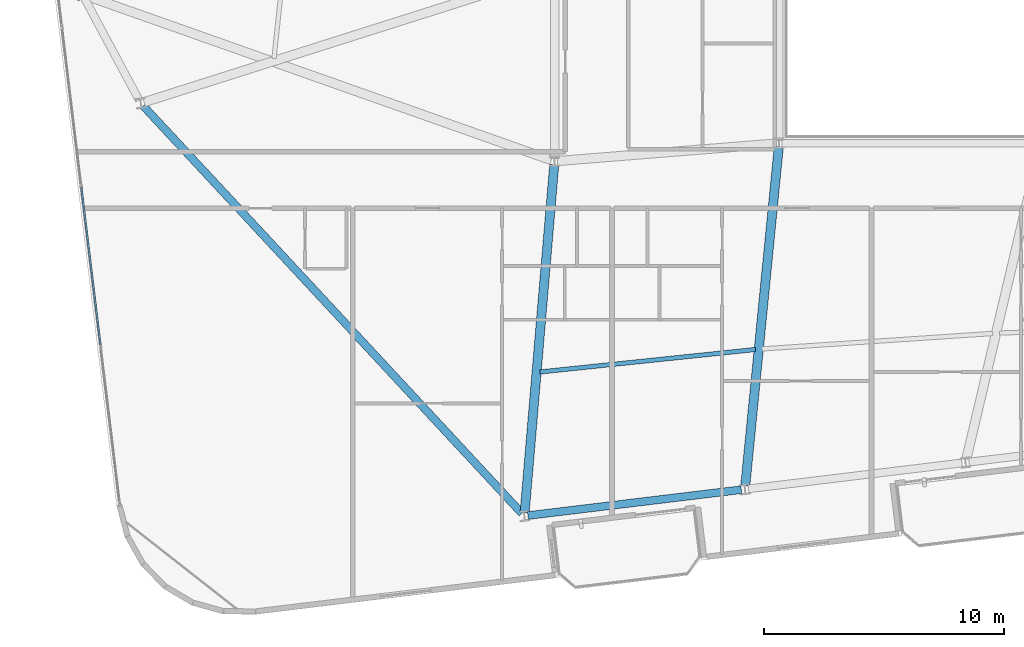
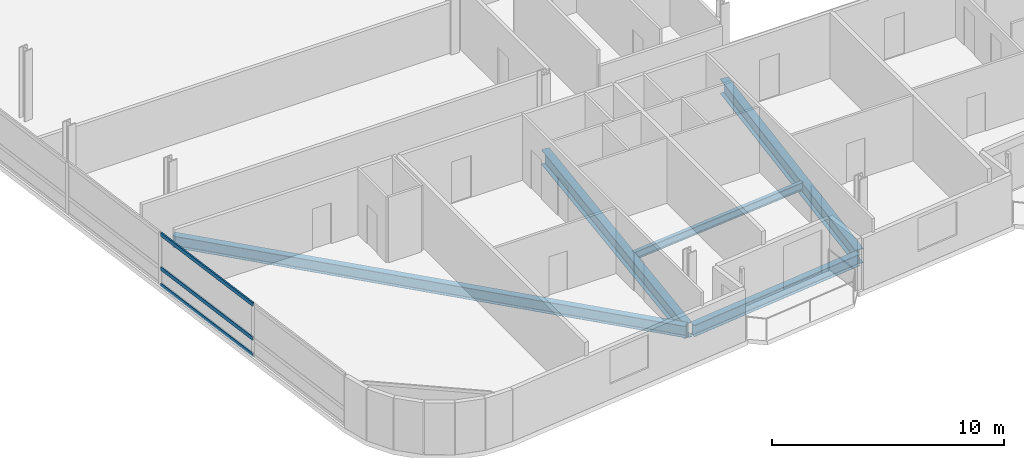
# One storey, part 3 of 24: 5 beams, 3 members, 1 element without a shape of its own.
"""IFC4 building model written with IfcOpenShell, lengths in metres."""

import ifcopenshell
import ifcopenshell.guid

model = None  # the IFC model being written
_history = None  # IfcOwnerHistory: only IFC2X3 demands one
_inside = {}  # id of a spatial element -> (the spatial element, [elements in it])
_under = {}  # id of a project, library or spatial element -> (it, [spatial elements below it])
_declared = {}  # id of a project -> (the project, [libraries it declares])
_typed = {}  # id of a type object -> (the type object, [elements of that type])
_made_of = {}  # id of a material, layer set ... -> (it, [elements and type objects made of it])


def new_model(schema):
    """Start an empty IFC model of exactly this schema.

    Asked for "IFC4X3", IfcOpenShell would pick the latest addendum, in which some entities
    have other attributes; the version numbers below select the first issue.
    IFC2X3 requires an IfcOwnerHistory on every rooted entity: one is made here for all.
    """
    global model, _history
    if schema == "IFC4X3":
        model = ifcopenshell.file(schema_version=(4, 3, 0, 0))
    else:
        model = ifcopenshell.file(schema=schema)
    _inside.clear()
    _under.clear()
    _declared.clear()
    _typed.clear()
    _made_of.clear()
    _history = None
    if model.schema == "IFC2X3":
        org = make("IfcOrganization", Name="unknown")
        user = make(
            "IfcPersonAndOrganization",
            ThePerson=make("IfcPerson", FamilyName="unknown"),
            TheOrganization=org,
        )
        app = make(
            "IfcApplication",
            ApplicationDeveloper=org,
            Version="unknown",
            ApplicationFullName="unknown",
            ApplicationIdentifier="unknown",
        )
        _history = make(
            "IfcOwnerHistory",
            OwningUser=user,
            OwningApplication=app,
            ChangeAction="ADDED",
            CreationDate=0,
        )
    return model


def make(cls, **values):
    """One entity of the class cls with the attributes given. An attribute that is None is left unset."""
    return model.create_entity(
        cls, **{name: value for name, value in values.items() if value is not None}
    )


def rooted(cls, **values):
    """An entity with a GlobalId (a new one), such as an element, a storey or a relation."""
    return make(cls, GlobalId=ifcopenshell.guid.new(), OwnerHistory=_history, **values)


def si_unit(unit_type, name, prefix=None):
    """IfcSIUnit, for example si_unit("LENGTHUNIT", "METRE", prefix="MILLI")."""
    return make("IfcSIUnit", UnitType=unit_type, Prefix=prefix, Name=name)


def assignment(units):
    """IfcUnitAssignment: the units of a project."""
    return None if units is None else make("IfcUnitAssignment", Units=units)


def point(xyz):
    """IfcCartesianPoint."""
    return None if xyz is None else make("IfcCartesianPoint", Coordinates=xyz)


def direction(xyz):
    """IfcDirection."""
    return None if xyz is None else make("IfcDirection", DirectionRatios=xyz)


def frame(location, z_axis=None, x_axis=None):
    """IfcAxis2Placement3D, a coordinate frame: its origin and axes. An axis left out is left unset."""
    return make(
        "IfcAxis2Placement3D",
        Location=point(location),
        Axis=direction(z_axis),
        RefDirection=direction(x_axis),
    )


def frame_2d(location, x_axis=None):
    """IfcAxis2Placement2D, a coordinate frame in the plane: its origin and x axis."""
    return make(
        "IfcAxis2Placement2D", Location=point(location), RefDirection=direction(x_axis)
    )


def origin():
    """The frame at (0, 0, 0) with its axes left unset."""
    return frame((0.0, 0.0, 0.0))


def origin_2d():
    """The frame at (0, 0) in the plane with its x axis left unset."""
    return frame_2d((0.0, 0.0))


def place(relative_to, where):
    """IfcLocalPlacement: puts the frame where relative to a parent placement (None: the world)."""
    return make(
        "IfcLocalPlacement", PlacementRelTo=relative_to, RelativePlacement=where
    )


def context(
    kind, dimensions, precision=None, world=None, true_north=None, identifier=None
):
    """IfcGeometricRepresentationContext, for example the 3D "Model" context."""
    return make(
        "IfcGeometricRepresentationContext",
        ContextIdentifier=identifier,
        ContextType=kind,
        CoordinateSpaceDimension=dimensions,
        Precision=precision,
        WorldCoordinateSystem=world,
        TrueNorth=true_north,
    )


def subcontext(parent, identifier, kind, view, scale=None):
    """IfcGeometricRepresentationSubContext, for example "Body" below "Model"."""
    return make(
        "IfcGeometricRepresentationSubContext",
        ContextIdentifier=identifier,
        ContextType=kind,
        ParentContext=parent,
        TargetScale=scale,
        TargetView=view,
    )


def project(units=None, contexts=None):
    """IfcProject with its units and contexts."""
    return rooted(
        "IfcProject",
        Name="project",
        RepresentationContexts=contexts,
        UnitsInContext=assignment(units),
    )


def spatial(cls, under=None, at=None, **own):
    """A site, building, storey or space (cls), placed at a placement, below another one or the project."""
    s = rooted(cls, ObjectPlacement=at, **own)
    if under is not None:
        _under.setdefault(under.id(), (under, []))[1].append(s)
    return s


def profile(cls, at=None, kind="AREA", **sizes):
    """A parametric profile (cls). Its sizes go by their IFC names, for example OverallWidth=200.0."""
    return make(cls, ProfileType=kind, Position=at, **sizes)


def hollow_rectangle(**sizes):
    """IfcRectangleHollowProfileDef."""
    return profile("IfcRectangleHollowProfileDef", **sizes)


def i_section(**sizes):
    """IfcIShapeProfileDef."""
    return profile("IfcIShapeProfileDef", **sizes)


def extrude(swept, where, along, depth):
    """IfcExtrudedAreaSolid: the profile swept, set in the frame where, extruded along a direction by depth."""
    return make(
        "IfcExtrudedAreaSolid",
        SweptArea=swept,
        Position=where,
        ExtrudedDirection=direction(along),
        Depth=depth,
    )


def shape(context_of_items, identifier, shape_type, items):
    """IfcShapeRepresentation: the items that make up one representation, for example the "Body"."""
    return make(
        "IfcShapeRepresentation",
        ContextOfItems=context_of_items,
        RepresentationIdentifier=identifier,
        RepresentationType=shape_type,
        Items=items,
    )


def material(Name=None, Category=None):
    """IfcMaterial."""
    return make("IfcMaterial", Name=Name, Category=Category)


def layer(
    of_material, thickness, ventilated=None, Name=None, Category=None, Priority=None
):
    """IfcMaterialLayer: one layer of a wall or slab, of a material (None: an air gap)."""
    return make(
        "IfcMaterialLayer",
        Material=of_material,
        LayerThickness=thickness,
        IsVentilated=ventilated,
        Name=Name,
        Category=Category,
        Priority=Priority,
    )


def layer_set(layers, Name=None):
    """IfcMaterialLayerSet."""
    return make("IfcMaterialLayerSet", MaterialLayers=layers, LayerSetName=Name)


def material_profile(
    of_material, cross_section, Name=None, Category=None, Priority=None
):
    """IfcMaterialProfile: a cross section and its material."""
    return make(
        "IfcMaterialProfile",
        Name=Name,
        Material=of_material,
        Profile=cross_section,
        Priority=Priority,
        Category=Category,
    )


def profile_set(profiles, Name=None, composite=None):
    """IfcMaterialProfileSet."""
    return make(
        "IfcMaterialProfileSet",
        Name=Name,
        MaterialProfiles=profiles,
        CompositeProfile=composite,
    )


def made_of(thing, what):
    """Note that an element or type object is made of a material, layer set ...; save() writes the relation."""
    if what is not None:
        _made_of.setdefault(what.id(), (what, []))[1].append(thing)
    return thing


def type_object(cls, material=None, **own):
    """A type object (cls), such as IfcWallType, which elements share."""
    return made_of(rooted(cls, **own), material)


def element(
    cls,
    number,
    at=None,
    inside=None,
    cuts=None,
    type_object=None,
    material=None,
    context=None,
    identifier="Body",
    shape_type=None,
    held_by="IfcProductDefinitionShape",
    body=None,
    shapes=None,
    **own,
):
    """One element of the class cls, such as IfcWall. Its Tag is "e" and its number.

    at: its placement. inside: the storey or other place that contains it. cuts: it is an
    opening in that element (IfcRelVoidsElement). A single representation is given by context,
    identifier, shape_type and body (its items); several are given by shapes. held_by: the class
    of the entity that holds the representations. save() writes the other relations.
    """
    e = rooted(cls, Tag="e%d" % number, ObjectPlacement=at, **own)
    if body is not None:
        shapes = [shape(context, identifier, shape_type, body)]
    if shapes is not None:
        e.Representation = make(held_by, Representations=shapes)
    if inside is not None:
        _inside.setdefault(inside.id(), (inside, []))[1].append(e)
    if cuts is not None:
        rooted(
            "IfcRelVoidsElement", RelatingBuildingElement=cuts, RelatedOpeningElement=e
        )
    if type_object is not None:
        _typed.setdefault(type_object.id(), (type_object, []))[1].append(e)
    return made_of(e, material)


def aggregate(whole, parts):
    """IfcRelAggregates: a whole, such as a stair, and the parts it consists of."""
    return rooted("IfcRelAggregates", RelatingObject=whole, RelatedObjects=parts)


def save(model, path):
    """Write the relations noted so far, then the file.

    IfcRelAggregates (storeys below a building ...), IfcRelContainedInSpatialStructure (elements
    in a storey), IfcRelDefinesByType, IfcRelAssociatesMaterial and IfcRelDeclares: one each for
    every whole, place, type object, material and project.
    """
    for whole, parts in _under.values():
        aggregate(whole, parts)
    for where, things in _inside.values():
        rooted(
            "IfcRelContainedInSpatialStructure",
            RelatedElements=things,
            RelatingStructure=where,
        )
    for kind, things in _typed.values():
        rooted("IfcRelDefinesByType", RelatedObjects=things, RelatingType=kind)
    for what, things in _made_of.values():
        rooted("IfcRelAssociatesMaterial", RelatedObjects=things, RelatingMaterial=what)
    for by, libraries in _declared.values():
        rooted("IfcRelDeclares", RelatingContext=by, RelatedDefinitions=libraries)
    model.write(path)


model = new_model("IFC4")

# Units and contexts
model_context = context("Model", 3, precision=1e-05, world=origin(), true_north=direction((0.0, 1.0)))
body_context = subcontext(model_context, "Body", "Model", "MODEL_VIEW")
ifc_project = project(units=[si_unit("LENGTHUNIT", "METRE"), si_unit("AREAUNIT", "SQUARE_METRE"), si_unit("VOLUMEUNIT", "CUBIC_METRE"), si_unit("PLANEANGLEUNIT", "RADIAN"), si_unit("MASSUNIT", "GRAM", prefix="KILO")], contexts=[model_context])

# Site, building, storey
site_placement = place(None, origin())
site = spatial("IfcSite", under=ifc_project, at=site_placement, CompositionType="ELEMENT")
building_placement = place(site_placement, origin())
building = spatial("IfcBuilding", under=site, at=building_placement, Name="Varnelok Gate Tower", CompositionType="ELEMENT")
storey_placement = place(building_placement, frame((0.0, 0.0, 167.199951171875)))
storey = spatial("IfcBuildingStorey", under=building, at=storey_placement, Name="L42", CompositionType="ELEMENT", Elevation=167.199951171875)

# Beams
ifc_material_1 = material(Name="Structural Steel ASTM A992 Grade 50", Category="steel")
ifc_material_profile_1 = material_profile(ifc_material_1, i_section(OverallWidth=0.180908203125, OverallDepth=0.4169921875, WebThickness=0.010986328125, FlangeThickness=0.018310546875, FilletRadius=0.013916015625, at=origin_2d()), Name="W16X57")
ifc_profile_set_1 = profile_set([ifc_material_profile_1], Name="Structural Steel ASTM A992 Grade 50")
beam_type_1 = type_object("IfcBeamType", Name="BM-JST-W16X57", PredefinedType="JOIST", material=ifc_profile_set_1)
beam_1_placement = place(storey_placement, frame((23.791015625, 10.0283203125, -0.45849609375), z_axis=(0.994593629184, 0.103843694018, 0.0), x_axis=(-0.103843694018, 0.994593629184, 0.0)))
element("IfcBeam", 1, at=beam_1_placement, inside=storey, type_object=beam_type_1, Name="L42 Sector Floor Joist 1", PredefinedType="JOIST", context=body_context, shape_type="SweptSolid", body=[
    extrude(i_section(OverallWidth=0.180908203125, OverallDepth=0.4169921875, WebThickness=0.010986328125, FlangeThickness=0.018310546875, FilletRadius=0.013916015625, at=origin_2d()), origin(), (0.0, 0.0, 1.0), 9.02099609375),
])
ifc_material_profile_2 = material_profile(ifc_material_1, i_section(OverallWidth=0.381103515625, OverallDepth=0.77294921875, WebThickness=0.0166015625, FlangeThickness=0.027099609375, FilletRadius=0.02197265625, at=origin_2d()), Name="W30X173")
ifc_profile_set_2 = profile_set([ifc_material_profile_2], Name="Structural Steel ASTM A992 Grade 50")
beam_type_2 = type_object("IfcBeamType", Name="BM-PRI-W30X173", PredefinedType="BEAM", material=ifc_profile_set_2)
beam_2_placement = place(storey_placement, frame((24.38720703125, 18.650390625, -0.636474609375), z_axis=(-0.08482646823, -0.996395739798, 0.0), x_axis=(0.996395739798, -0.08482646823, 0.0)))
element("IfcBeam", 2, at=beam_2_placement, inside=storey, type_object=beam_type_2, Name="L42 Radial Floor Girder 1", PredefinedType="BEAM", context=body_context, shape_type="SweptSolid", body=[
    extrude(i_section(OverallWidth=0.381103515625, OverallDepth=0.77294921875, WebThickness=0.0166015625, FlangeThickness=0.027099609375, FilletRadius=0.02197265625, at=origin_2d()), origin(), (0.0, 0.0, 1.0), 14.52001953125),
])
beam_3_placement = place(storey_placement, frame((33.735107421875, 19.400634765625, -0.636474609375), z_axis=(-0.098420734253, -0.995144893505, 0.0), x_axis=(0.995144893505, -0.098420734253, 0.0)))
element("IfcBeam", 3, at=beam_3_placement, inside=storey, type_object=beam_type_2, Name="L42 Radial Floor Girder 2", PredefinedType="BEAM", context=body_context, shape_type="SweptSolid", body=[
    extrude(i_section(OverallWidth=0.381103515625, OverallDepth=0.77294921875, WebThickness=0.0166015625, FlangeThickness=0.027099609375, FilletRadius=0.02197265625, at=origin_2d()), origin(), (0.0, 0.0, 1.0), 14.174072265625),
])
ifc_material_profile_3 = material_profile(ifc_material_1, i_section(OverallWidth=0.323974609375, OverallDepth=0.611083984375, WebThickness=0.0126953125, FlangeThickness=0.01904296875, FilletRadius=0.01806640625, at=origin_2d()), Name="W24X104")
ifc_profile_set_3 = profile_set([ifc_material_profile_3], Name="Structural Steel ASTM A992 Grade 50")
beam_type_3 = type_object("IfcBeamType", Name="BM-SPN-W24X104", PredefinedType="SPANDREL", material=ifc_profile_set_3)
beam_4_placement = place(storey_placement, frame((23.29150390625, 4.051025390625, -0.555419921875), z_axis=(0.99273141198, 0.120350918849, 0.0), x_axis=(-0.120350918849, 0.99273141198, 0.0)))
element("IfcBeam", 4, at=beam_4_placement, inside=storey, type_object=beam_type_3, Name="L42 Perimeter Spandrel Beam 1", PredefinedType="SPANDREL", context=body_context, shape_type="SweptSolid", body=[
    extrude(i_section(OverallWidth=0.323974609375, OverallDepth=0.611083984375, WebThickness=0.0126953125, FlangeThickness=0.01904296875, FilletRadius=0.01806640625, at=origin_2d()), origin(), (0.0, 0.0, 1.0), 8.949951171875),
])
beam_5_placement = place(storey_placement, frame((7.27685546875, 21.106201171875, -0.555419921875), z_axis=(0.680728456616, -0.732535847828, 0.0), x_axis=(0.732535847828, 0.680728456616, 0.0)))
element("IfcBeam", 5, at=beam_5_placement, inside=storey, type_object=beam_type_3, Name="L42 Perimeter Spandrel Beam 16", PredefinedType="SPANDREL", context=body_context, shape_type="SweptSolid", body=[
    extrude(i_section(OverallWidth=0.323974609375, OverallDepth=0.611083984375, WebThickness=0.0126953125, FlangeThickness=0.01904296875, FilletRadius=0.01806640625, at=origin_2d()), origin(), (0.0, 0.0, 1.0), 23.156982421875),
])

# Curtain wall, members
ifc_material_2 = material(Name="Anodized Aluminum Alloy 6063-T6", Category="aluminium")
ifc_layer = layer(ifc_material_2, 0.179931640625)
ifc_layer_set = layer_set([ifc_layer], Name="Anodized Aluminum Alloy 6063-T6")
curtain_wall_type = type_object("IfcCurtainWallType", Name="CW4-RESIDENCE-VISION", PredefinedType="USERDEFINED", material=ifc_layer_set)
curtain_wall_placement = place(storey_placement, origin())
curtain_wall = element("IfcCurtainWall", 6, at=curtain_wall_placement, inside=storey, type_object=curtain_wall_type, Name="L42 West End Vision Curtain Wall", ObjectType="UNITISED CURTAIN WALL", PredefinedType="USERDEFINED")
ifc_material_profile_4 = material_profile(ifc_material_2, hollow_rectangle(XDim=0.074951171875, YDim=0.199951171875, WallThickness=0.00390625, at=origin_2d()), Name="ALU200X75X4")
ifc_profile_set_4 = profile_set([ifc_material_profile_4], Name="Anodized Aluminum Alloy 6063-T6")
member_type = type_object("IfcMemberType", Name="CW-TRAN-200", PredefinedType="USERDEFINED", material=ifc_profile_set_4)
member_1_placement = place(storey_placement, frame((5.496826171875, 11.15869140625, 0.03759765625), z_axis=(-0.120349029092, 0.992731641078, 0.0), x_axis=(-0.992731641078, -0.120349029092, 0.0)))
member_1 = element("IfcMember", 7, at=member_1_placement, type_object=member_type, Name="CW4 transom 2.1", ObjectType="TRANSOM", PredefinedType="USERDEFINED", context=body_context, shape_type="SweptSolid", body=[
    extrude(hollow_rectangle(XDim=0.074951171875, YDim=0.199951171875, WallThickness=0.00390625, at=origin_2d()), origin(), (0.0, 0.0, 1.0), 6.605224609375),
])
member_2_placement = place(storey_placement, frame((5.496826171875, 11.15869140625, 0.900146484375), z_axis=(-0.120349029092, 0.992731641078, 0.0), x_axis=(-0.992731641078, -0.120349029092, 0.0)))
member_2 = element("IfcMember", 8, at=member_2_placement, type_object=member_type, Name="CW4 transom 2.2", ObjectType="TRANSOM", PredefinedType="USERDEFINED", context=body_context, shape_type="SweptSolid", body=[
    extrude(hollow_rectangle(XDim=0.074951171875, YDim=0.199951171875, WallThickness=0.00390625, at=origin_2d()), origin(), (0.0, 0.0, 1.0), 6.605224609375),
])
member_3_placement = place(storey_placement, frame((5.496826171875, 11.15869140625, 2.692626953125), z_axis=(-0.120349029092, 0.992731641078, 0.0), x_axis=(-0.992731641078, -0.120349029092, 0.0)))
member_3 = element("IfcMember", 9, at=member_3_placement, type_object=member_type, Name="CW4 transom 2.3", ObjectType="TRANSOM", PredefinedType="USERDEFINED", context=body_context, shape_type="SweptSolid", body=[
    extrude(hollow_rectangle(XDim=0.074951171875, YDim=0.199951171875, WallThickness=0.00390625, at=origin_2d()), origin(), (0.0, 0.0, 1.0), 6.605224609375),
])
aggregate(curtain_wall, [member_1, member_2, member_3])

save(model, "model.ifc")
